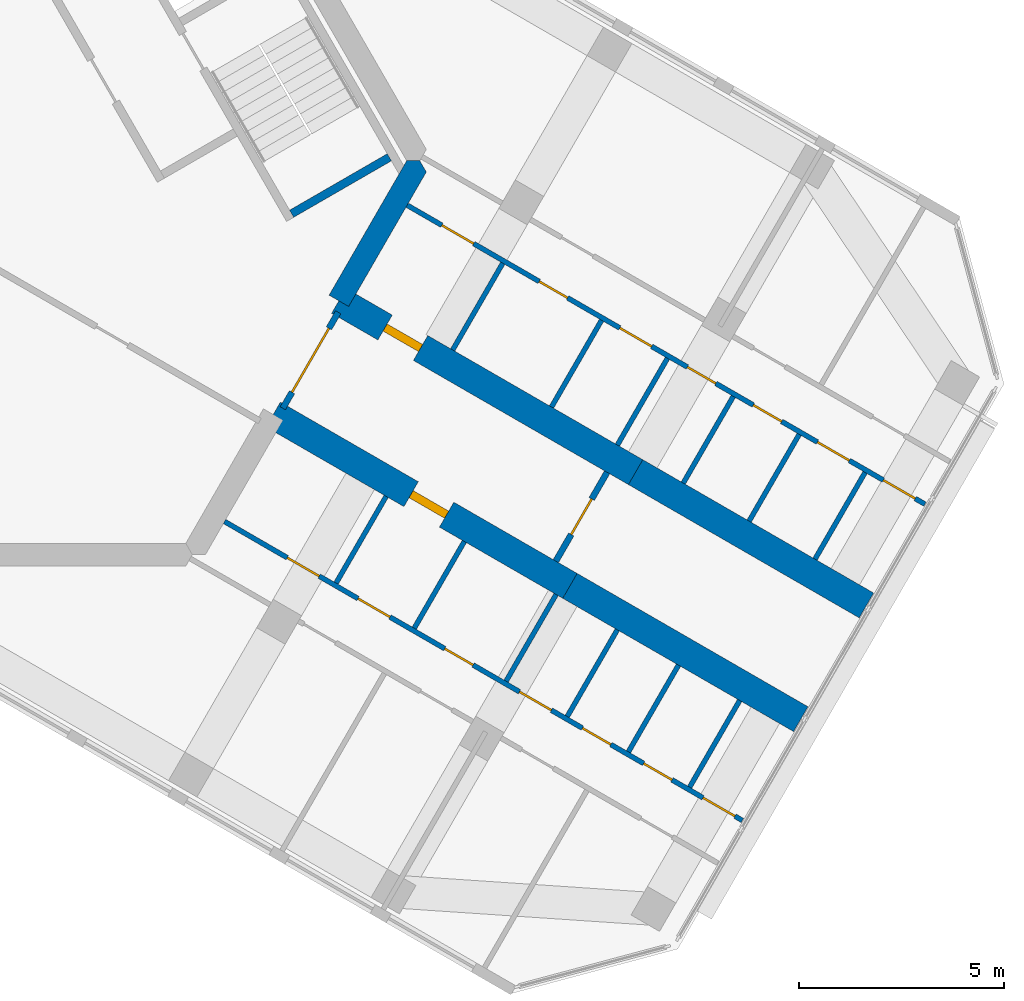
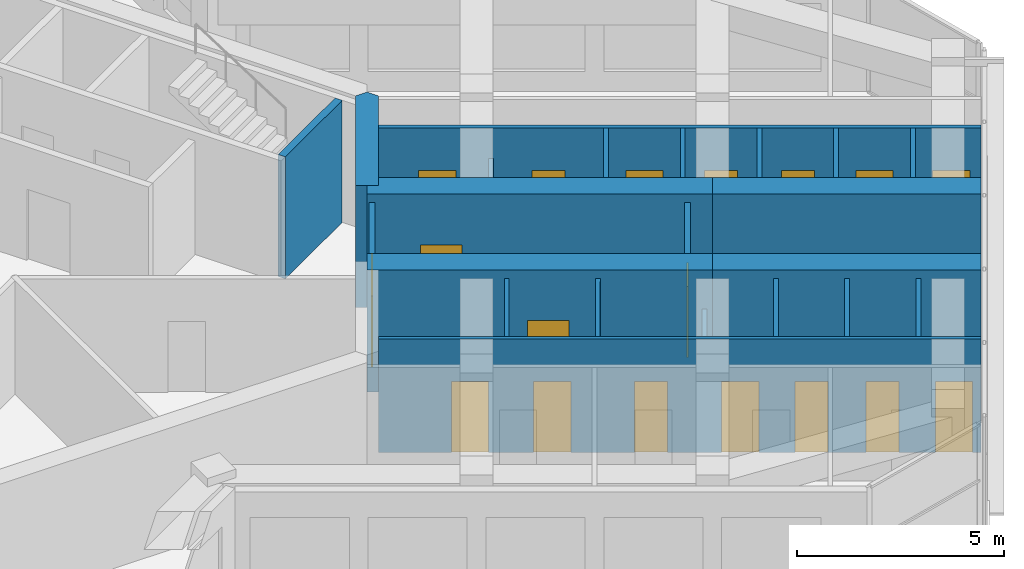
# One storey, part 10 of 14: 22 walls, 18 doors, 18 openings.
"""IFC4 building model written with IfcOpenShell, lengths in metres."""

from ifc_helpers import new_model, si_unit, direction, frame, frame_2d, origin, place, context, subcontext, project, spatial, polyline, rectangle, outline, extrude, material, layer, layer_set, type_object, element, fill, save


model = new_model("IFC4")

# Units and contexts
model_context = context("Model", 3, precision=1e-05, world=origin(), true_north=direction((0.0, 1.0)))
body_context = subcontext(model_context, "Body", "Model", "MODEL_VIEW")
ifc_project = project(units=[si_unit("LENGTHUNIT", "METRE"), si_unit("AREAUNIT", "SQUARE_METRE"), si_unit("VOLUMEUNIT", "CUBIC_METRE"), si_unit("PLANEANGLEUNIT", "RADIAN"), si_unit("MASSUNIT", "GRAM", prefix="KILO")], contexts=[model_context])

# Site, building, storey
site_placement = place(None, origin())
site = spatial("IfcSite", under=ifc_project, at=site_placement, CompositionType="ELEMENT")
building_placement = place(site_placement, origin())
building = spatial("IfcBuilding", under=site, at=building_placement, Name="Kosmar Iwan School Tower", CompositionType="ELEMENT")
storey_placement = place(building_placement, frame((0.0, 0.0, 278.199951171875)))
storey = spatial("IfcBuildingStorey", under=building, at=storey_placement, Name="L70", CompositionType="ELEMENT", Elevation=278.199951171875)

# Wall
ifc_material_1 = material(Name="Concrete C50/60", Category="concrete")
ifc_layer_1 = layer(ifc_material_1, 0.550048828125)
ifc_layer_set_1 = layer_set([ifc_layer_1], Name="Core wall 550")
wall_type_1 = type_object("IfcWallType", Name="Core wall 550", PredefinedType="SHEAR", material=ifc_layer_set_1)
wall_1_placement = place(storey_placement, origin())
element("IfcWall", 1, at=wall_1_placement, inside=storey, type_object=wall_type_1, Name="Core wall F330b", PredefinedType="SHEAR", context=body_context, shape_type="SweptSolid", body=[
    extrude(outline(polyline([(9.35205078125, -3.5517578125), (11.243896484375, -0.27490234375), (11.085205078125, 0.0), (10.767578125, 0.0), (8.875732421875, -3.27685546875), (9.35205078125, -3.5517578125)])), origin(), (0.0, 0.0, 1.0), 3.60009765625),
])

# Wall, opening, door
ifc_material_2 = material(Name="Concrete C50/60", Category="concrete")
ifc_layer_2 = layer(ifc_material_2, 0.699951171875)
ifc_layer_set_2 = layer_set([ifc_layer_2], Name="Corridor buttress wall 700")
wall_type_2 = type_object("IfcWallType", Name="Corridor buttress wall 700", PredefinedType="SHEAR", material=ifc_layer_set_2)
wall_2_placement = place(storey_placement, frame((9.11376953125, -3.414306640625, 0.0), z_axis=(0.0, 0.0, 1.0), x_axis=(0.866026859388, -0.499997478812, 0.0)))
wall_2 = element("IfcWall", 2, at=wall_2_placement, inside=storey, type_object=wall_type_2, Name="Corridor wall CL", PredefinedType="SHEAR", context=body_context, shape_type="SweptSolid", body=[
    extrude(rectangle(XDim=8.35009765625, YDim=0.699951171875, at=frame_2d((4.175048828125, 0.0))), origin(), (0.0, 0.0, 1.0), 3.60009765625),
])
opening_1_placement = place(wall_2_placement, frame((1.300048828125, 0.0, 0.0)))
opening_1 = element("IfcOpeningElement", 3, at=opening_1_placement, cuts=wall_2, Name="Opening D1", PredefinedType="OPENING", context=body_context, shape_type="SweptSolid", body=[
    extrude(rectangle(XDim=1.0, YDim=2.10009765625, at=frame_2d((0.5, 1.050048828125))), frame((0.0, 0.362060546875, 0.0), z_axis=(0.0, -1.0, 0.0), x_axis=(1.0, 0.0, 0.0)), (0.0, 0.0, 1.0), 0.723876953125),
])
ifc_material_3 = material(Name="Timber fire door in steel frame", Category="steel")
door_type_1 = type_object("IfcDoorType", Name="Flat entrance door 1000x2100", OperationType="SINGLE_SWING_LEFT", PredefinedType="DOOR", material=ifc_material_3)
door_1_placement = place(opening_1_placement, origin())
door_1 = element("IfcDoor", 4, at=door_1_placement, inside=storey, type_object=door_type_1, Name="Flat L70-CL1 entrance door", OperationType="SINGLE_SWING_RIGHT", OverallHeight=2.10009765625, OverallWidth=1.0, PredefinedType="DOOR", context=body_context, shape_type="SweptSolid", body=[
    extrude(rectangle(XDim=1.0, YDim=2.10009765625, at=frame_2d((0.5, 1.050048828125))), frame((0.0, 0.10009765625, 0.0), z_axis=(0.0, -1.0, 0.0), x_axis=(1.0, 0.0, 0.0)), (0.0, 0.0, 1.0), 0.199951171875),
])
fill(opening_1, door_1)

# Wall
wall_3_placement = place(storey_placement, frame((16.34521484375, -7.58935546875, 0.0), z_axis=(0.0, 0.0, 1.0), x_axis=(0.866018451174, -0.500012042081, 0.0)))
element("IfcWall", 5, at=wall_3_placement, inside=storey, type_object=wall_type_2, Name="Corridor wall CL bay 2", PredefinedType="SHEAR", context=body_context, shape_type="SweptSolid", body=[
    extrude(rectangle(XDim=6.494873046875, YDim=0.699951171875, at=frame_2d((3.24755859375, 0.0))), origin(), (0.0, 0.0, 1.0), 3.60009765625),
])

# Wall, opening, door
wall_4_placement = place(storey_placement, frame((7.513916015625, -6.185546875, 0.0), z_axis=(0.0, 0.0, 1.0), x_axis=(0.866019549707, -0.500010139422, 0.0)))
wall_4 = element("IfcWall", 6, at=wall_4_placement, inside=storey, type_object=wall_type_2, Name="Corridor wall CR", PredefinedType="SHEAR", context=body_context, shape_type="SweptSolid", body=[
    extrude(rectangle(XDim=8.349853515625, YDim=0.699951171875, at=frame_2d((4.1748046875, 0.0))), origin(), (0.0, 0.0, 1.0), 3.60009765625),
])
opening_2_placement = place(wall_4_placement, frame((3.8798828125, 0.0, 0.0)))
opening_2 = element("IfcOpeningElement", 7, at=opening_2_placement, cuts=wall_4, Name="Opening D1", PredefinedType="OPENING", context=body_context, shape_type="SweptSolid", body=[
    extrude(rectangle(XDim=1.0, YDim=2.10009765625, at=frame_2d((0.5, 1.050048828125))), frame((0.0, 0.362060546875, 0.0), z_axis=(0.0, -1.0, 0.0), x_axis=(1.0, 0.0, 0.0)), (0.0, 0.0, 1.0), 0.723876953125),
])
door_2_placement = place(opening_2_placement, origin())
door_2 = element("IfcDoor", 8, at=door_2_placement, inside=storey, type_object=door_type_1, Name="Flat L70-CR1 entrance door", OperationType="SINGLE_SWING_RIGHT", OverallHeight=2.10009765625, OverallWidth=1.0, PredefinedType="DOOR", context=body_context, shape_type="SweptSolid", body=[
    extrude(rectangle(XDim=1.0, YDim=2.10009765625, at=frame_2d((0.5, 1.050048828125))), frame((0.0, 0.10009765625, 0.0), z_axis=(0.0, -1.0, 0.0), x_axis=(1.0, 0.0, 0.0)), (0.0, 0.0, 1.0), 0.199951171875),
])
fill(opening_2, door_2)

# Wall
wall_5_placement = place(storey_placement, frame((14.7451171875, -10.360595703125, 0.0), z_axis=(0.0, 0.0, 1.0), x_axis=(0.866027848477, -0.499995765644, 0.0)))
element("IfcWall", 9, at=wall_5_placement, inside=storey, type_object=wall_type_2, Name="Corridor wall CR bay 2", PredefinedType="SHEAR", context=body_context, shape_type="SweptSolid", body=[
    extrude(rectangle(XDim=6.4951171875, YDim=0.699951171875, at=frame_2d((3.24755859375, 0.0))), origin(), (0.0, 0.0, 1.0), 3.60009765625),
])

# Wall, opening, door
ifc_material_4 = material(Name="Gypsum board on steel studs, fire-rated", Category="steel")
ifc_layer_3 = layer(ifc_material_4, 0.14990234375)
ifc_layer_set_3 = layer_set([ifc_layer_3], Name="Corridor end wall 150")
wall_type_3 = type_object("IfcWallType", Name="Corridor end wall 150", PredefinedType="PARTITIONING", material=ifc_layer_set_3)
wall_6_placement = place(storey_placement, frame((14.400634765625, -9.757568359375, 0.0), z_axis=(0.0, 0.0, 1.0), x_axis=(0.500004234368, 0.866022959057, 0.0)))
wall_6 = element("IfcWall", 10, at=wall_6_placement, inside=storey, type_object=wall_type_3, Name="Partition L70-C-CE", PredefinedType="PARTITIONING", context=body_context, shape_type="SweptSolid", body=[
    extrude(rectangle(XDim=2.5, YDim=0.14990234375, at=frame_2d((1.25, 0.0))), origin(), (0.0, 0.0, 1.0), 3.35009765625),
])
opening_3_placement = place(wall_6_placement, frame((0.75, 0.0, 0.0)))
opening_3 = element("IfcOpeningElement", 11, at=opening_3_placement, cuts=wall_6, Name="Opening D13", PredefinedType="OPENING", context=body_context, shape_type="SweptSolid", body=[
    extrude(rectangle(XDim=1.0, YDim=2.10009765625, at=frame_2d((0.5, 1.050048828125))), frame((0.0, 0.0869140625, 0.0), z_axis=(0.0, -1.0, 0.0), x_axis=(1.0, 0.0, 0.0)), (0.0, 0.0, 1.0), 0.173828125),
])
ifc_material_5 = material(Name="Timber fire door with vision panel", Category="wood")
door_type_2 = type_object("IfcDoorType", Name="Corridor end door 1000x2100", OperationType="SINGLE_SWING_LEFT", PredefinedType="DOOR", material=ifc_material_5)
door_3_placement = place(opening_3_placement, origin())
door_3 = element("IfcDoor", 12, at=door_3_placement, inside=storey, type_object=door_type_2, Name="Reading room door L70-C", OperationType="SINGLE_SWING_RIGHT", OverallHeight=2.10009765625, OverallWidth=1.0, PredefinedType="DOOR", context=body_context, shape_type="SweptSolid", body=[
    extrude(rectangle(XDim=1.0, YDim=2.10009765625, at=frame_2d((0.5, 1.050048828125))), frame((0.0, 0.02490234375, 0.0), z_axis=(0.0, -1.0, 0.0), x_axis=(1.0, 0.0, 0.0)), (0.0, 0.0, 1.0), 0.050048828125),
])
fill(opening_3, door_3)

ifc_material_6 = material(Name="Steel framed glazed screen", Category="steel")
ifc_layer_4 = layer(ifc_material_6, 0.14990234375)
ifc_layer_set_4 = layer_set([ifc_layer_4], Name="Corridor screen wall 150")
wall_type_4 = type_object("IfcWallType", Name="Corridor screen wall 150", PredefinedType="PARTITIONING", material=ifc_layer_set_4)
wall_7_placement = place(storey_placement, frame((7.7470703125, -6.03173828125, 0.0), z_axis=(0.0, 0.0, 1.0), x_axis=(0.50000943426, 0.866019956843, 0.0)))
wall_7 = element("IfcWall", 13, at=wall_7_placement, inside=storey, type_object=wall_type_4, Name="Corridor screen C L70", PredefinedType="PARTITIONING", context=body_context, shape_type="SweptSolid", body=[
    extrude(rectangle(XDim=2.7001953125, YDim=0.14990234375, at=frame_2d((1.35009765625, 0.0))), origin(), (0.0, 0.0, 1.0), 3.35009765625),
])
opening_4_placement = place(wall_7_placement, frame((0.449951171875, 0.0, 0.0)))
opening_4 = element("IfcOpeningElement", 14, at=opening_4_placement, cuts=wall_7, Name="Opening D9", PredefinedType="OPENING", context=body_context, shape_type="SweptSolid", body=[
    extrude(rectangle(XDim=1.800048828125, YDim=2.10009765625, at=frame_2d((0.89990234375, 1.050048828125))), frame((0.0, 0.0869140625, 0.0), z_axis=(0.0, -1.0, 0.0), x_axis=(1.0, 0.0, 0.0)), (0.0, 0.0, 1.0), 0.173828125),
])
ifc_material_7 = material(Name="Steel framed glazed smoke door", Category="steel")
door_type_3 = type_object("IfcDoorType", Name="Corridor smoke door pair 1800x2100", OperationType="DOUBLE_DOOR_DOUBLE_SWING", PredefinedType="DOOR", material=ifc_material_7)
door_4_placement = place(opening_4_placement, origin())
door_4 = element("IfcDoor", 15, at=door_4_placement, inside=storey, type_object=door_type_3, Name="Corridor doors C L70", OperationType="DOUBLE_DOOR_DOUBLE_SWING", OverallHeight=2.10009765625, OverallWidth=1.800048828125, PredefinedType="DOOR", context=body_context, shape_type="SweptSolid", body=[
    extrude(rectangle(XDim=1.800048828125, YDim=2.10009765625, at=frame_2d((0.89990234375, 1.050048828125))), frame((0.0, 0.02490234375, 0.0), z_axis=(0.0, -1.0, 0.0), x_axis=(1.0, 0.0, 0.0)), (0.0, 0.0, 1.0), 0.050048828125),
])
fill(opening_4, door_4)

# Wall, openings, doors
ifc_material_8 = material(Name="Gypsum board on steel studs", Category="steel")
ifc_layer_5 = layer(ifc_material_8, 0.1201171875)
ifc_layer_set_5 = layer_set([ifc_layer_5], Name="Dwelling partition 120")
wall_type_5 = type_object("IfcWallType", Name="Dwelling partition 120", PredefinedType="PARTITIONING", material=ifc_layer_set_5)
wall_8_placement = place(storey_placement, frame((10.777099609375, -1.083740234375, 0.0), z_axis=(0.0, 0.0, 1.0), x_axis=(0.866026811131, -0.499997562396, 0.0)))
wall_8 = element("IfcWall", 16, at=wall_8_placement, inside=storey, type_object=wall_type_5, Name="Partition L70-CL1-W1", PredefinedType="PARTITIONING", context=body_context, shape_type="SweptSolid", body=[
    extrude(rectangle(XDim=14.56982421875, YDim=0.1201171875, at=frame_2d((7.284912109375, 0.0))), origin(), (0.0, 0.0, 1.0), 3.35009765625),
])
opening_5_placement = place(wall_8_placement, frame((0.97509765625, 0.0, 0.0)))
opening_5 = element("IfcOpeningElement", 17, at=opening_5_placement, cuts=wall_8, Name="Opening D2", PredefinedType="OPENING", context=body_context, shape_type="SweptSolid", body=[
    extrude(rectangle(XDim=0.89990234375, YDim=2.10009765625, at=frame_2d((0.449951171875, 1.050048828125))), frame((0.0, 0.072021484375, 0.0), z_axis=(0.0, -1.0, 0.0), x_axis=(1.0, 0.0, 0.0)), (0.0, 0.0, 1.0), 0.14404296875),
])
opening_6_placement = place(wall_8_placement, frame((3.71533203125, 0.0, 0.0)))
opening_6 = element("IfcOpeningElement", 18, at=opening_6_placement, cuts=wall_8, Name="Opening D3", PredefinedType="OPENING", context=body_context, shape_type="SweptSolid", body=[
    extrude(rectangle(XDim=0.800048828125, YDim=2.10009765625, at=frame_2d((0.39990234375, 1.050048828125))), frame((0.0, 0.072021484375, 0.0), z_axis=(0.0, -1.0, 0.0), x_axis=(1.0, 0.0, 0.0)), (0.0, 0.0, 1.0), 0.14404296875),
])
opening_7_placement = place(wall_8_placement, frame((5.982666015625, 0.0, 0.0)))
opening_7 = element("IfcOpeningElement", 19, at=opening_7_placement, cuts=wall_8, Name="Opening D2", PredefinedType="OPENING", context=body_context, shape_type="SweptSolid", body=[
    extrude(rectangle(XDim=0.89990234375, YDim=2.10009765625, at=frame_2d((0.449951171875, 1.050048828125))), frame((0.0, 0.072021484375, 0.0), z_axis=(0.0, -1.0, 0.0), x_axis=(1.0, 0.0, 0.0)), (0.0, 0.0, 1.0), 0.14404296875),
])
opening_8_placement = place(wall_8_placement, frame((7.886474609375, 0.0, 0.0)))
opening_8 = element("IfcOpeningElement", 20, at=opening_8_placement, cuts=wall_8, Name="Opening D3", PredefinedType="OPENING", context=body_context, shape_type="SweptSolid", body=[
    extrude(rectangle(XDim=0.800048828125, YDim=2.10009765625, at=frame_2d((0.39990234375, 1.050048828125))), frame((0.0, 0.072021484375, 0.0), z_axis=(0.0, -1.0, 0.0), x_axis=(1.0, 0.0, 0.0)), (0.0, 0.0, 1.0), 0.14404296875),
])
opening_9_placement = place(wall_8_placement, frame((9.740478515625, 0.0, 0.0)))
opening_9 = element("IfcOpeningElement", 21, at=opening_9_placement, cuts=wall_8, Name="Opening D3", PredefinedType="OPENING", context=body_context, shape_type="SweptSolid", body=[
    extrude(rectangle(XDim=0.800048828125, YDim=2.10009765625, at=frame_2d((0.39990234375, 1.050048828125))), frame((0.0, 0.072021484375, 0.0), z_axis=(0.0, -1.0, 0.0), x_axis=(1.0, 0.0, 0.0)), (0.0, 0.0, 1.0), 0.14404296875),
])
opening_10_placement = place(wall_8_placement, frame((11.544189453125, 0.0, 0.0)))
opening_10 = element("IfcOpeningElement", 22, at=opening_10_placement, cuts=wall_8, Name="Opening D2", PredefinedType="OPENING", context=body_context, shape_type="SweptSolid", body=[
    extrude(rectangle(XDim=0.89990234375, YDim=2.10009765625, at=frame_2d((0.449951171875, 1.050048828125))), frame((0.0, 0.072021484375, 0.0), z_axis=(0.0, -1.0, 0.0), x_axis=(1.0, 0.0, 0.0)), (0.0, 0.0, 1.0), 0.14404296875),
])
opening_11_placement = place(wall_8_placement, frame((13.398193359375, 0.0, 0.0)))
opening_11 = element("IfcOpeningElement", 23, at=opening_11_placement, cuts=wall_8, Name="Opening D2", PredefinedType="OPENING", context=body_context, shape_type="SweptSolid", body=[
    extrude(rectangle(XDim=0.89990234375, YDim=2.10009765625, at=frame_2d((0.449951171875, 1.050048828125))), frame((0.0, 0.072021484375, 0.0), z_axis=(0.0, -1.0, 0.0), x_axis=(1.0, 0.0, 0.0)), (0.0, 0.0, 1.0), 0.14404296875),
])
ifc_material_9 = material(Name="Timber door in timber frame", Category="wood")
door_type_4 = type_object("IfcDoorType", Name="Internal door 900x2100", OperationType="SINGLE_SWING_LEFT", PredefinedType="DOOR", material=ifc_material_9)
door_5_placement = place(opening_5_placement, origin())
door_5 = element("IfcDoor", 24, at=door_5_placement, inside=storey, type_object=door_type_4, Name="Entrance hall door L70-CL1-S1", OperationType="SINGLE_SWING_LEFT", OverallHeight=2.10009765625, OverallWidth=0.89990234375, PredefinedType="DOOR", context=body_context, shape_type="SweptSolid", body=[
    extrude(rectangle(XDim=0.89990234375, YDim=2.10009765625, at=frame_2d((0.449951171875, 1.050048828125))), frame((0.0, 0.02490234375, 0.0), z_axis=(0.0, -1.0, 0.0), x_axis=(1.0, 0.0, 0.0)), (0.0, 0.0, 1.0), 0.050048828125),
])
fill(opening_5, door_5)
door_6_placement = place(opening_7_placement, origin())
door_6 = element("IfcDoor", 25, at=door_6_placement, inside=storey, type_object=door_type_4, Name="Pantry door L70-CL1-S3", OperationType="SINGLE_SWING_LEFT", OverallHeight=2.10009765625, OverallWidth=0.89990234375, PredefinedType="DOOR", context=body_context, shape_type="SweptSolid", body=[
    extrude(rectangle(XDim=0.89990234375, YDim=2.10009765625, at=frame_2d((0.449951171875, 1.050048828125))), frame((0.0, 0.02490234375, 0.0), z_axis=(0.0, -1.0, 0.0), x_axis=(1.0, 0.0, 0.0)), (0.0, 0.0, 1.0), 0.050048828125),
])
fill(opening_7, door_6)
door_7_placement = place(opening_10_placement, origin())
door_7 = element("IfcDoor", 26, at=door_7_placement, inside=storey, type_object=door_type_4, Name="Utility room door L70-CL1-S6", OperationType="SINGLE_SWING_RIGHT", OverallHeight=2.10009765625, OverallWidth=0.89990234375, PredefinedType="DOOR", context=body_context, shape_type="SweptSolid", body=[
    extrude(rectangle(XDim=0.89990234375, YDim=2.10009765625, at=frame_2d((0.449951171875, 1.050048828125))), frame((0.0, 0.02490234375, 0.0), z_axis=(0.0, -1.0, 0.0), x_axis=(1.0, 0.0, 0.0)), (0.0, 0.0, 1.0), 0.050048828125),
])
fill(opening_10, door_7)
door_8_placement = place(opening_11_placement, origin())
door_8 = element("IfcDoor", 27, at=door_8_placement, inside=storey, type_object=door_type_4, Name="Dressing room door L70-CL1-S7", OperationType="SINGLE_SWING_RIGHT", OverallHeight=2.10009765625, OverallWidth=0.89990234375, PredefinedType="DOOR", context=body_context, shape_type="SweptSolid", body=[
    extrude(rectangle(XDim=0.89990234375, YDim=2.10009765625, at=frame_2d((0.449951171875, 1.050048828125))), frame((0.0, 0.02490234375, 0.0), z_axis=(0.0, -1.0, 0.0), x_axis=(1.0, 0.0, 0.0)), (0.0, 0.0, 1.0), 0.050048828125),
])
fill(opening_11, door_8)
ifc_material_10 = material(Name="Timber door in timber frame", Category="wood")
door_type_5 = type_object("IfcDoorType", Name="Sanitary room door 800x2100", OperationType="SINGLE_SWING_LEFT", PredefinedType="DOOR", material=ifc_material_10)
door_9_placement = place(opening_6_placement, origin())
door_9 = element("IfcDoor", 28, at=door_9_placement, inside=storey, type_object=door_type_5, Name="Bathroom door L70-CL1-S2", OperationType="SINGLE_SWING_LEFT", OverallHeight=2.10009765625, OverallWidth=0.800048828125, PredefinedType="DOOR", context=body_context, shape_type="SweptSolid", body=[
    extrude(rectangle(XDim=0.800048828125, YDim=2.10009765625, at=frame_2d((0.39990234375, 1.050048828125))), frame((0.0, 0.02490234375, 0.0), z_axis=(0.0, -1.0, 0.0), x_axis=(1.0, 0.0, 0.0)), (0.0, 0.0, 1.0), 0.050048828125),
])
fill(opening_6, door_9)
door_10_placement = place(opening_8_placement, origin())
door_10 = element("IfcDoor", 29, at=door_10_placement, inside=storey, type_object=door_type_5, Name="WC door L70-CL1-S4", OperationType="SINGLE_SWING_RIGHT", OverallHeight=2.10009765625, OverallWidth=0.800048828125, PredefinedType="DOOR", context=body_context, shape_type="SweptSolid", body=[
    extrude(rectangle(XDim=0.800048828125, YDim=2.10009765625, at=frame_2d((0.39990234375, 1.050048828125))), frame((0.0, 0.02490234375, 0.0), z_axis=(0.0, -1.0, 0.0), x_axis=(1.0, 0.0, 0.0)), (0.0, 0.0, 1.0), 0.050048828125),
])
fill(opening_8, door_10)
door_11_placement = place(opening_9_placement, origin())
door_11 = element("IfcDoor", 30, at=door_11_placement, inside=storey, type_object=door_type_5, Name="Store door L70-CL1-S5", OperationType="SINGLE_SWING_RIGHT", OverallHeight=2.10009765625, OverallWidth=0.800048828125, PredefinedType="DOOR", context=body_context, shape_type="SweptSolid", body=[
    extrude(rectangle(XDim=0.800048828125, YDim=2.10009765625, at=frame_2d((0.39990234375, 1.050048828125))), frame((0.0, 0.02490234375, 0.0), z_axis=(0.0, -1.0, 0.0), x_axis=(1.0, 0.0, 0.0)), (0.0, 0.0, 1.0), 0.050048828125),
])
fill(opening_9, door_11)

# Walls
wall_9_placement = place(storey_placement, frame((11.886962890625, -4.611328125, 0.0), z_axis=(0.0, 0.0, 1.0), x_axis=(0.499959183527, 0.866048967903, 0.0)))
element("IfcWall", 31, at=wall_9_placement, inside=storey, type_object=wall_type_5, Name="Partition L70-CL1-Y1", PredefinedType="PARTITIONING", context=body_context, shape_type="SweptSolid", body=[
    extrude(rectangle(XDim=2.440185546875, YDim=0.1201171875, at=frame_2d((1.22021484375, 0.0))), origin(), (0.0, 0.0, 1.0), 2.449951171875),
])
wall_10_placement = place(storey_placement, frame((14.295166015625, -6.001708984375, 0.0), z_axis=(0.0, 0.0, 1.0), x_axis=(0.499959183527, 0.866048967903, 0.0)))
element("IfcWall", 32, at=wall_10_placement, inside=storey, type_object=wall_type_5, Name="Partition L70-CL1-Y2", PredefinedType="PARTITIONING", context=body_context, shape_type="SweptSolid", body=[
    extrude(rectangle(XDim=2.440185546875, YDim=0.1201171875, at=frame_2d((1.22021484375, 0.0))), origin(), (0.0, 0.0, 1.0), 3.35009765625),
])
for number, where, z_axis, x_axis, name in (
    (33, (15.900634765625, -6.928466796875, 0.0), (0.0, 0.0, 1.0), (0.500002508028, 0.866023955769, 0.0), "Partition L70-CL1-Y3"),
    (34, (17.506103515625, -7.85546875, 0.0), (0.0, 0.0, 1.0), (0.500002508028, 0.866023955769, 0.0), "Partition L70-CL1-Y4"),
):
    element("IfcWall", number, at=place(storey_placement, frame(where, z_axis=z_axis, x_axis=x_axis)), inside=storey, type_object=wall_type_5, Name=name, PredefinedType="PARTITIONING", context=body_context, shape_type="SweptSolid", body=[
        extrude(rectangle(XDim=2.43994140625, YDim=0.1201171875, at=frame_2d((1.219970703125, 0.0))), origin(), (0.0, 0.0, 1.0), 3.35009765625),
    ])
wall_11_placement = place(storey_placement, frame((19.111572265625, -8.782470703125, 0.0), z_axis=(0.0, 0.0, 1.0), x_axis=(0.499959183527, 0.866048967903, 0.0)))
element("IfcWall", 35, at=wall_11_placement, inside=storey, type_object=wall_type_5, Name="Partition L70-CL1-Y5", PredefinedType="PARTITIONING", context=body_context, shape_type="SweptSolid", body=[
    extrude(rectangle(XDim=2.440185546875, YDim=0.1201171875, at=frame_2d((1.22021484375, 0.0))), origin(), (0.0, 0.0, 1.0), 3.35009765625),
])
wall_12_placement = place(storey_placement, frame((20.717041015625, -9.709228515625, 0.0), z_axis=(0.0, 0.0, 1.0), x_axis=(0.500002508028, 0.866023955769, 0.0)))
element("IfcWall", 36, at=wall_12_placement, inside=storey, type_object=wall_type_5, Name="Partition L70-CL1-Y6", PredefinedType="PARTITIONING", context=body_context, shape_type="SweptSolid", body=[
    extrude(rectangle(XDim=2.43994140625, YDim=0.1201171875, at=frame_2d((1.219970703125, 0.0))), origin(), (0.0, 0.0, 1.0), 3.35009765625),
])

# Wall, openings, doors
wall_13_placement = place(storey_placement, frame((6.326904296875, -8.791259765625, 0.0), z_axis=(0.0, 0.0, 1.0), x_axis=(0.866023744513, -0.500002873931, 0.0)))
wall_13 = element("IfcWall", 37, at=wall_13_placement, inside=storey, type_object=wall_type_5, Name="Partition L70-CR1-W1", PredefinedType="PARTITIONING", context=body_context, shape_type="SweptSolid", body=[
    extrude(rectangle(XDim=14.5703125, YDim=0.1201171875, at=frame_2d((7.28515625, 0.0))), origin(), (0.0, 0.0, 1.0), 3.35009765625),
])
opening_12_placement = place(wall_13_placement, frame((1.764892578125, 0.0, 0.0)))
opening_12 = element("IfcOpeningElement", 38, at=opening_12_placement, cuts=wall_13, Name="Opening D2", PredefinedType="OPENING", context=body_context, shape_type="SweptSolid", body=[
    extrude(rectangle(XDim=0.89990234375, YDim=2.10009765625, at=frame_2d((0.449951171875, 1.050048828125))), frame((0.0, 0.072021484375, 0.0), z_axis=(0.0, -1.0, 0.0), x_axis=(1.0, 0.0, 0.0)), (0.0, 0.0, 1.0), 0.14404296875),
])
opening_13_placement = place(wall_13_placement, frame((3.755126953125, 0.0, 0.0)))
opening_13 = element("IfcOpeningElement", 39, at=opening_13_placement, cuts=wall_13, Name="Opening D2", PredefinedType="OPENING", context=body_context, shape_type="SweptSolid", body=[
    extrude(rectangle(XDim=0.89990234375, YDim=2.10009765625, at=frame_2d((0.449951171875, 1.050048828125))), frame((0.0, 0.072021484375, 0.0), z_axis=(0.0, -1.0, 0.0), x_axis=(1.0, 0.0, 0.0)), (0.0, 0.0, 1.0), 0.14404296875),
])
opening_14_placement = place(wall_13_placement, frame((6.1962890625, 0.0, 0.0)))
opening_14 = element("IfcOpeningElement", 40, at=opening_14_placement, cuts=wall_13, Name="Opening D3", PredefinedType="OPENING", context=body_context, shape_type="SweptSolid", body=[
    extrude(rectangle(XDim=0.800048828125, YDim=2.10009765625, at=frame_2d((0.39990234375, 1.050048828125))), frame((0.0, 0.072021484375, 0.0), z_axis=(0.0, -1.0, 0.0), x_axis=(1.0, 0.0, 0.0)), (0.0, 0.0, 1.0), 0.14404296875),
])
opening_15_placement = place(wall_13_placement, frame((8.298583984375, 0.0, 0.0)))
opening_15 = element("IfcOpeningElement", 41, at=opening_15_placement, cuts=wall_13, Name="Opening D2", PredefinedType="OPENING", context=body_context, shape_type="SweptSolid", body=[
    extrude(rectangle(XDim=0.89990234375, YDim=2.10009765625, at=frame_2d((0.449951171875, 1.050048828125))), frame((0.0, 0.072021484375, 0.0), z_axis=(0.0, -1.0, 0.0), x_axis=(1.0, 0.0, 0.0)), (0.0, 0.0, 1.0), 0.14404296875),
])
opening_16_placement = place(wall_13_placement, frame((10.070556640625, 0.0, 0.0)))
opening_16 = element("IfcOpeningElement", 42, at=opening_16_placement, cuts=wall_13, Name="Opening D3", PredefinedType="OPENING", context=body_context, shape_type="SweptSolid", body=[
    extrude(rectangle(XDim=0.800048828125, YDim=2.10009765625, at=frame_2d((0.39990234375, 1.050048828125))), frame((0.0, 0.072021484375, 0.0), z_axis=(0.0, -1.0, 0.0), x_axis=(1.0, 0.0, 0.0)), (0.0, 0.0, 1.0), 0.14404296875),
])
opening_17_placement = place(wall_13_placement, frame((11.792236328125, 0.0, 0.0)))
opening_17 = element("IfcOpeningElement", 43, at=opening_17_placement, cuts=wall_13, Name="Opening D3", PredefinedType="OPENING", context=body_context, shape_type="SweptSolid", body=[
    extrude(rectangle(XDim=0.800048828125, YDim=2.10009765625, at=frame_2d((0.39990234375, 1.050048828125))), frame((0.0, 0.072021484375, 0.0), z_axis=(0.0, -1.0, 0.0), x_axis=(1.0, 0.0, 0.0)), (0.0, 0.0, 1.0), 0.14404296875),
])
opening_18_placement = place(wall_13_placement, frame((13.464111328125, 0.0, 0.0)))
opening_18 = element("IfcOpeningElement", 44, at=opening_18_placement, cuts=wall_13, Name="Opening D2", PredefinedType="OPENING", context=body_context, shape_type="SweptSolid", body=[
    extrude(rectangle(XDim=0.89990234375, YDim=2.10009765625, at=frame_2d((0.449951171875, 1.050048828125))), frame((0.0, 0.072021484375, 0.0), z_axis=(0.0, -1.0, 0.0), x_axis=(1.0, 0.0, 0.0)), (0.0, 0.0, 1.0), 0.14404296875),
])
door_12_placement = place(opening_12_placement, origin())
door_12 = element("IfcDoor", 45, at=door_12_placement, inside=storey, type_object=door_type_4, Name="Utility room door L70-CR1-S1", OperationType="SINGLE_SWING_RIGHT", OverallHeight=2.10009765625, OverallWidth=0.89990234375, PredefinedType="DOOR", context=body_context, shape_type="SweptSolid", body=[
    extrude(rectangle(XDim=0.89990234375, YDim=2.10009765625, at=frame_2d((0.449951171875, 1.050048828125))), frame((0.0, 0.02490234375, 0.0), z_axis=(0.0, -1.0, 0.0), x_axis=(1.0, 0.0, 0.0)), (0.0, 0.0, 1.0), 0.050048828125),
])
fill(opening_12, door_12)
door_13_placement = place(opening_13_placement, origin())
door_13 = element("IfcDoor", 46, at=door_13_placement, inside=storey, type_object=door_type_4, Name="Entrance hall door L70-CR1-S2", OperationType="SINGLE_SWING_RIGHT", OverallHeight=2.10009765625, OverallWidth=0.89990234375, PredefinedType="DOOR", context=body_context, shape_type="SweptSolid", body=[
    extrude(rectangle(XDim=0.89990234375, YDim=2.10009765625, at=frame_2d((0.449951171875, 1.050048828125))), frame((0.0, 0.02490234375, 0.0), z_axis=(0.0, -1.0, 0.0), x_axis=(1.0, 0.0, 0.0)), (0.0, 0.0, 1.0), 0.050048828125),
])
fill(opening_13, door_13)
door_14_placement = place(opening_15_placement, origin())
door_14 = element("IfcDoor", 47, at=door_14_placement, inside=storey, type_object=door_type_4, Name="Pantry door L70-CR1-S4", OperationType="SINGLE_SWING_RIGHT", OverallHeight=2.10009765625, OverallWidth=0.89990234375, PredefinedType="DOOR", context=body_context, shape_type="SweptSolid", body=[
    extrude(rectangle(XDim=0.89990234375, YDim=2.10009765625, at=frame_2d((0.449951171875, 1.050048828125))), frame((0.0, 0.02490234375, 0.0), z_axis=(0.0, -1.0, 0.0), x_axis=(1.0, 0.0, 0.0)), (0.0, 0.0, 1.0), 0.050048828125),
])
fill(opening_15, door_14)
door_15_placement = place(opening_18_placement, origin())
door_15 = element("IfcDoor", 48, at=door_15_placement, inside=storey, type_object=door_type_4, Name="Dressing room door L70-CR1-S7", OperationType="SINGLE_SWING_RIGHT", OverallHeight=2.10009765625, OverallWidth=0.89990234375, PredefinedType="DOOR", context=body_context, shape_type="SweptSolid", body=[
    extrude(rectangle(XDim=0.89990234375, YDim=2.10009765625, at=frame_2d((0.449951171875, 1.050048828125))), frame((0.0, 0.02490234375, 0.0), z_axis=(0.0, -1.0, 0.0), x_axis=(1.0, 0.0, 0.0)), (0.0, 0.0, 1.0), 0.050048828125),
])
fill(opening_18, door_15)
door_16_placement = place(opening_14_placement, origin())
door_16 = element("IfcDoor", 49, at=door_16_placement, inside=storey, type_object=door_type_5, Name="Bathroom door L70-CR1-S3", OperationType="SINGLE_SWING_LEFT", OverallHeight=2.10009765625, OverallWidth=0.800048828125, PredefinedType="DOOR", context=body_context, shape_type="SweptSolid", body=[
    extrude(rectangle(XDim=0.800048828125, YDim=2.10009765625, at=frame_2d((0.39990234375, 1.050048828125))), frame((0.0, 0.02490234375, 0.0), z_axis=(0.0, -1.0, 0.0), x_axis=(1.0, 0.0, 0.0)), (0.0, 0.0, 1.0), 0.050048828125),
])
fill(opening_14, door_16)
door_17_placement = place(opening_16_placement, origin())
door_17 = element("IfcDoor", 50, at=door_17_placement, inside=storey, type_object=door_type_5, Name="WC door L70-CR1-S5", OperationType="SINGLE_SWING_LEFT", OverallHeight=2.10009765625, OverallWidth=0.800048828125, PredefinedType="DOOR", context=body_context, shape_type="SweptSolid", body=[
    extrude(rectangle(XDim=0.800048828125, YDim=2.10009765625, at=frame_2d((0.39990234375, 1.050048828125))), frame((0.0, 0.02490234375, 0.0), z_axis=(0.0, -1.0, 0.0), x_axis=(1.0, 0.0, 0.0)), (0.0, 0.0, 1.0), 0.050048828125),
])
fill(opening_16, door_17)
door_18_placement = place(opening_17_placement, origin())
door_18 = element("IfcDoor", 51, at=door_18_placement, inside=storey, type_object=door_type_5, Name="Store door L70-CR1-S6", OperationType="SINGLE_SWING_RIGHT", OverallHeight=2.10009765625, OverallWidth=0.800048828125, PredefinedType="DOOR", context=body_context, shape_type="SweptSolid", body=[
    extrude(rectangle(XDim=0.800048828125, YDim=2.10009765625, at=frame_2d((0.39990234375, 1.050048828125))), frame((0.0, 0.02490234375, 0.0), z_axis=(0.0, -1.0, 0.0), x_axis=(1.0, 0.0, 0.0)), (0.0, 0.0, 1.0), 0.050048828125),
])
fill(opening_17, door_18)

# Walls
for number, where, z_axis, x_axis, name in (
    (52, (10.26611328125, -8.1787109375, 0.0), (0.0, 0.0, 1.0), (-0.500077547548, -0.865980627057, 0.0), "Partition L70-CR1-Y1"),
    (53, (12.17138671875, -9.27880859375, 0.0), (0.0, 0.0, 1.0), (-0.500077547548, -0.865980627057, 0.0), "Partition L70-CR1-Y2"),
):
    element("IfcWall", number, at=place(storey_placement, frame(where, z_axis=z_axis, x_axis=x_axis)), inside=storey, type_object=wall_type_5, Name=name, PredefinedType="PARTITIONING", context=body_context, shape_type="SweptSolid", body=[
        extrude(rectangle(XDim=2.43994140625, YDim=0.1201171875, at=frame_2d((1.219970703125, 0.0))), origin(), (0.0, 0.0, 1.0), 3.35009765625),
    ])
wall_14_placement = place(storey_placement, frame((14.407958984375, -10.570068359375, 0.0), z_axis=(0.0, 0.0, 1.0), x_axis=(-0.500002508028, -0.866023955769, 0.0)))
element("IfcWall", 54, at=wall_14_placement, inside=storey, type_object=wall_type_5, Name="Partition L70-CR1-Y3", PredefinedType="PARTITIONING", context=body_context, shape_type="SweptSolid", body=[
    extrude(rectangle(XDim=2.43994140625, YDim=0.1201171875, at=frame_2d((1.219970703125, 0.0))), origin(), (0.0, 0.0, 1.0), 2.449951171875),
])
wall_15_placement = place(storey_placement, frame((15.899169921875, -11.430908203125, 0.0), z_axis=(0.0, 0.0, 1.0), x_axis=(-0.499959183527, -0.866048967903, 0.0)))
element("IfcWall", 55, at=wall_15_placement, inside=storey, type_object=wall_type_5, Name="Partition L70-CR1-Y4", PredefinedType="PARTITIONING", context=body_context, shape_type="SweptSolid", body=[
    extrude(rectangle(XDim=2.440185546875, YDim=0.1201171875, at=frame_2d((1.22021484375, 0.0))), origin(), (0.0, 0.0, 1.0), 3.35009765625),
])
for number, where, z_axis, x_axis, name in (
    (56, (17.39013671875, -12.2919921875, 0.0), (0.0, 0.0, 1.0), (-0.500002508028, -0.866023955769, 0.0), "Partition L70-CR1-Y5"),
    (57, (18.88134765625, -13.15283203125, 0.0), (0.0, 0.0, 1.0), (-0.500002508028, -0.866023955769, 0.0), "Partition L70-CR1-Y6"),
):
    element("IfcWall", number, at=place(storey_placement, frame(where, z_axis=z_axis, x_axis=x_axis)), inside=storey, type_object=wall_type_5, Name=name, PredefinedType="PARTITIONING", context=body_context, shape_type="SweptSolid", body=[
        extrude(rectangle(XDim=2.43994140625, YDim=0.1201171875, at=frame_2d((1.219970703125, 0.0))), origin(), (0.0, 0.0, 1.0), 3.35009765625),
    ])
ifc_material_11 = material(Name="Concrete C50/60", Category="concrete")
ifc_layer_6 = layer(ifc_material_11, 0.199951171875)
ifc_layer_set_6 = layer_set([ifc_layer_6], Name="Stair enclosure wall 200")
wall_type_6 = type_object("IfcWallType", Name="Stair enclosure wall 200", PredefinedType="SHEAR", material=ifc_layer_set_6)
wall_16_placement = place(storey_placement, frame((7.962646484375, -1.291748046875, 0.0), z_axis=(0.0, 0.0, 1.0), x_axis=(0.866027397988, 0.499996545922, 0.0)))
element("IfcWall", 58, at=wall_16_placement, inside=storey, type_object=wall_type_6, Name="Stair ST1 wall", PredefinedType="SHEAR", context=body_context, shape_type="SweptSolid", body=[
    extrude(rectangle(XDim=2.75, YDim=0.199951171875, at=frame_2d((1.375, 0.0))), origin(), (0.0, 0.0, 1.0), 3.60009765625),
])

save(model, "model.ifc")
